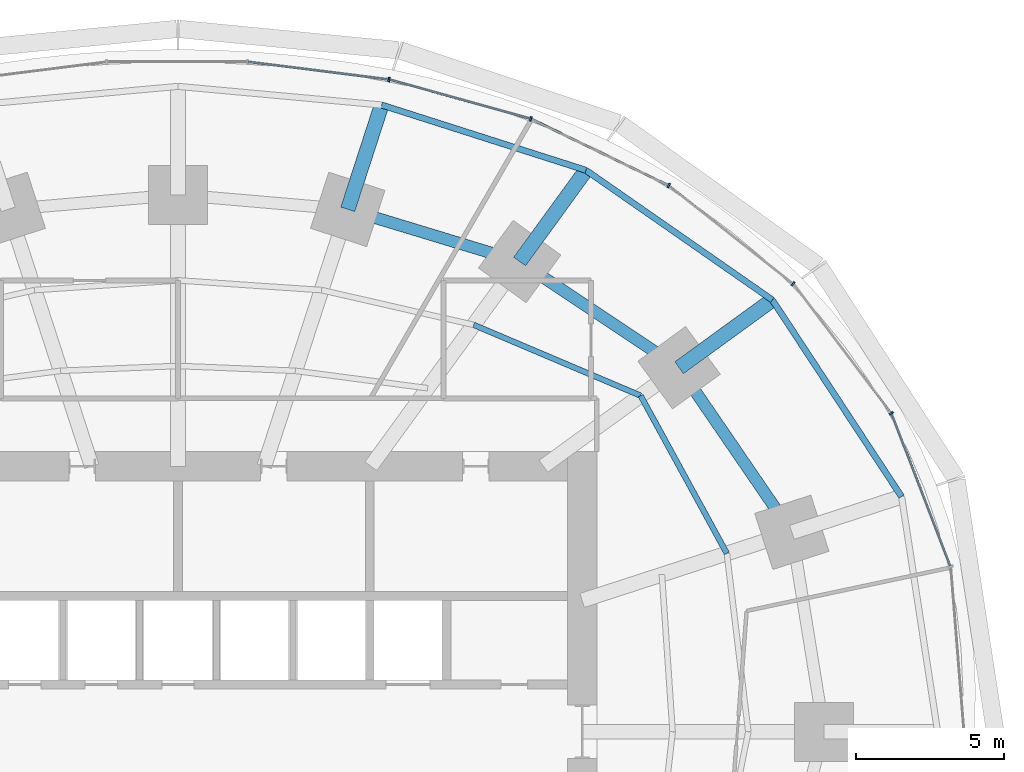
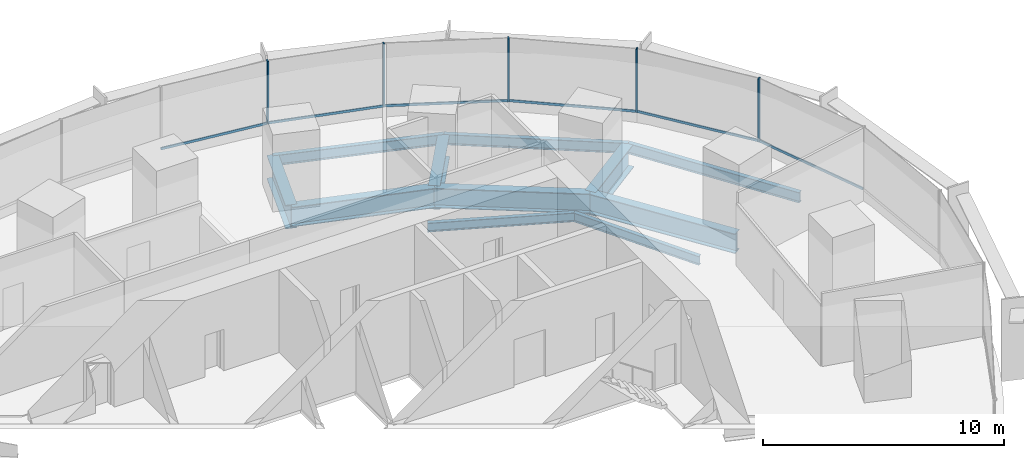
# One storey, part 9 of 15: 11 beams, 11 members, 2 elements without a shape of their own.
"""IFC4 building model written with IfcOpenShell, lengths in metres."""

import ifcopenshell
import ifcopenshell.guid

model = None  # the IFC model being written
_history = None  # IfcOwnerHistory: only IFC2X3 demands one
_inside = {}  # id of a spatial element -> (the spatial element, [elements in it])
_under = {}  # id of a project, library or spatial element -> (it, [spatial elements below it])
_declared = {}  # id of a project -> (the project, [libraries it declares])
_typed = {}  # id of a type object -> (the type object, [elements of that type])
_made_of = {}  # id of a material, layer set ... -> (it, [elements and type objects made of it])


def new_model(schema):
    """Start an empty IFC model of exactly this schema.

    Asked for "IFC4X3", IfcOpenShell would pick the latest addendum, in which some entities
    have other attributes; the version numbers below select the first issue.
    IFC2X3 requires an IfcOwnerHistory on every rooted entity: one is made here for all.
    """
    global model, _history
    if schema == "IFC4X3":
        model = ifcopenshell.file(schema_version=(4, 3, 0, 0))
    else:
        model = ifcopenshell.file(schema=schema)
    _inside.clear()
    _under.clear()
    _declared.clear()
    _typed.clear()
    _made_of.clear()
    _history = None
    if model.schema == "IFC2X3":
        org = make("IfcOrganization", Name="unknown")
        user = make(
            "IfcPersonAndOrganization",
            ThePerson=make("IfcPerson", FamilyName="unknown"),
            TheOrganization=org,
        )
        app = make(
            "IfcApplication",
            ApplicationDeveloper=org,
            Version="unknown",
            ApplicationFullName="unknown",
            ApplicationIdentifier="unknown",
        )
        _history = make(
            "IfcOwnerHistory",
            OwningUser=user,
            OwningApplication=app,
            ChangeAction="ADDED",
            CreationDate=0,
        )
    return model


def make(cls, **values):
    """One entity of the class cls with the attributes given. An attribute that is None is left unset."""
    return model.create_entity(
        cls, **{name: value for name, value in values.items() if value is not None}
    )


def rooted(cls, **values):
    """An entity with a GlobalId (a new one), such as an element, a storey or a relation."""
    return make(cls, GlobalId=ifcopenshell.guid.new(), OwnerHistory=_history, **values)


def si_unit(unit_type, name, prefix=None):
    """IfcSIUnit, for example si_unit("LENGTHUNIT", "METRE", prefix="MILLI")."""
    return make("IfcSIUnit", UnitType=unit_type, Prefix=prefix, Name=name)


def assignment(units):
    """IfcUnitAssignment: the units of a project."""
    return None if units is None else make("IfcUnitAssignment", Units=units)


def point(xyz):
    """IfcCartesianPoint."""
    return None if xyz is None else make("IfcCartesianPoint", Coordinates=xyz)


def direction(xyz):
    """IfcDirection."""
    return None if xyz is None else make("IfcDirection", DirectionRatios=xyz)


def frame(location, z_axis=None, x_axis=None):
    """IfcAxis2Placement3D, a coordinate frame: its origin and axes. An axis left out is left unset."""
    return make(
        "IfcAxis2Placement3D",
        Location=point(location),
        Axis=direction(z_axis),
        RefDirection=direction(x_axis),
    )


def frame_2d(location, x_axis=None):
    """IfcAxis2Placement2D, a coordinate frame in the plane: its origin and x axis."""
    return make(
        "IfcAxis2Placement2D", Location=point(location), RefDirection=direction(x_axis)
    )


def origin():
    """The frame at (0, 0, 0) with its axes left unset."""
    return frame((0.0, 0.0, 0.0))


def origin_2d():
    """The frame at (0, 0) in the plane with its x axis left unset."""
    return frame_2d((0.0, 0.0))


def place(relative_to, where):
    """IfcLocalPlacement: puts the frame where relative to a parent placement (None: the world)."""
    return make(
        "IfcLocalPlacement", PlacementRelTo=relative_to, RelativePlacement=where
    )


def context(
    kind, dimensions, precision=None, world=None, true_north=None, identifier=None
):
    """IfcGeometricRepresentationContext, for example the 3D "Model" context."""
    return make(
        "IfcGeometricRepresentationContext",
        ContextIdentifier=identifier,
        ContextType=kind,
        CoordinateSpaceDimension=dimensions,
        Precision=precision,
        WorldCoordinateSystem=world,
        TrueNorth=true_north,
    )


def subcontext(parent, identifier, kind, view, scale=None):
    """IfcGeometricRepresentationSubContext, for example "Body" below "Model"."""
    return make(
        "IfcGeometricRepresentationSubContext",
        ContextIdentifier=identifier,
        ContextType=kind,
        ParentContext=parent,
        TargetScale=scale,
        TargetView=view,
    )


def project(units=None, contexts=None):
    """IfcProject with its units and contexts."""
    return rooted(
        "IfcProject",
        Name="project",
        RepresentationContexts=contexts,
        UnitsInContext=assignment(units),
    )


def spatial(cls, under=None, at=None, **own):
    """A site, building, storey or space (cls), placed at a placement, below another one or the project."""
    s = rooted(cls, ObjectPlacement=at, **own)
    if under is not None:
        _under.setdefault(under.id(), (under, []))[1].append(s)
    return s


def profile(cls, at=None, kind="AREA", **sizes):
    """A parametric profile (cls). Its sizes go by their IFC names, for example OverallWidth=200.0."""
    return make(cls, ProfileType=kind, Position=at, **sizes)


def rectangle(**sizes):
    """IfcRectangleProfileDef."""
    return profile("IfcRectangleProfileDef", **sizes)


def i_section(**sizes):
    """IfcIShapeProfileDef."""
    return profile("IfcIShapeProfileDef", **sizes)


def extrude(swept, where, along, depth):
    """IfcExtrudedAreaSolid: the profile swept, set in the frame where, extruded along a direction by depth."""
    return make(
        "IfcExtrudedAreaSolid",
        SweptArea=swept,
        Position=where,
        ExtrudedDirection=direction(along),
        Depth=depth,
    )


def shape(context_of_items, identifier, shape_type, items):
    """IfcShapeRepresentation: the items that make up one representation, for example the "Body"."""
    return make(
        "IfcShapeRepresentation",
        ContextOfItems=context_of_items,
        RepresentationIdentifier=identifier,
        RepresentationType=shape_type,
        Items=items,
    )


def material(Name=None, Category=None):
    """IfcMaterial."""
    return make("IfcMaterial", Name=Name, Category=Category)


def material_profile(
    of_material, cross_section, Name=None, Category=None, Priority=None
):
    """IfcMaterialProfile: a cross section and its material."""
    return make(
        "IfcMaterialProfile",
        Name=Name,
        Material=of_material,
        Profile=cross_section,
        Priority=Priority,
        Category=Category,
    )


def profile_set(profiles, Name=None, composite=None):
    """IfcMaterialProfileSet."""
    return make(
        "IfcMaterialProfileSet",
        Name=Name,
        MaterialProfiles=profiles,
        CompositeProfile=composite,
    )


def made_of(thing, what):
    """Note that an element or type object is made of a material, layer set ...; save() writes the relation."""
    if what is not None:
        _made_of.setdefault(what.id(), (what, []))[1].append(thing)
    return thing


def type_object(cls, material=None, **own):
    """A type object (cls), such as IfcWallType, which elements share."""
    return made_of(rooted(cls, **own), material)


def element(
    cls,
    number,
    at=None,
    inside=None,
    cuts=None,
    type_object=None,
    material=None,
    context=None,
    identifier="Body",
    shape_type=None,
    held_by="IfcProductDefinitionShape",
    body=None,
    shapes=None,
    **own,
):
    """One element of the class cls, such as IfcWall. Its Tag is "e" and its number.

    at: its placement. inside: the storey or other place that contains it. cuts: it is an
    opening in that element (IfcRelVoidsElement). A single representation is given by context,
    identifier, shape_type and body (its items); several are given by shapes. held_by: the class
    of the entity that holds the representations. save() writes the other relations.
    """
    e = rooted(cls, Tag="e%d" % number, ObjectPlacement=at, **own)
    if body is not None:
        shapes = [shape(context, identifier, shape_type, body)]
    if shapes is not None:
        e.Representation = make(held_by, Representations=shapes)
    if inside is not None:
        _inside.setdefault(inside.id(), (inside, []))[1].append(e)
    if cuts is not None:
        rooted(
            "IfcRelVoidsElement", RelatingBuildingElement=cuts, RelatedOpeningElement=e
        )
    if type_object is not None:
        _typed.setdefault(type_object.id(), (type_object, []))[1].append(e)
    return made_of(e, material)


def aggregate(whole, parts):
    """IfcRelAggregates: a whole, such as a stair, and the parts it consists of."""
    return rooted("IfcRelAggregates", RelatingObject=whole, RelatedObjects=parts)


def save(model, path):
    """Write the relations noted so far, then the file.

    IfcRelAggregates (storeys below a building ...), IfcRelContainedInSpatialStructure (elements
    in a storey), IfcRelDefinesByType, IfcRelAssociatesMaterial and IfcRelDeclares: one each for
    every whole, place, type object, material and project.
    """
    for whole, parts in _under.values():
        aggregate(whole, parts)
    for where, things in _inside.values():
        rooted(
            "IfcRelContainedInSpatialStructure",
            RelatedElements=things,
            RelatingStructure=where,
        )
    for kind, things in _typed.values():
        rooted("IfcRelDefinesByType", RelatedObjects=things, RelatingType=kind)
    for what, things in _made_of.values():
        rooted("IfcRelAssociatesMaterial", RelatedObjects=things, RelatingMaterial=what)
    for by, libraries in _declared.values():
        rooted("IfcRelDeclares", RelatingContext=by, RelatedDefinitions=libraries)
    model.write(path)


model = new_model("IFC4")

# Units and contexts
model_context = context("Model", 3, precision=1e-05, world=origin(), true_north=direction((0.0, 1.0)))
body_context = subcontext(model_context, "Body", "Model", "MODEL_VIEW")
ifc_project = project(units=[si_unit("LENGTHUNIT", "METRE"), si_unit("AREAUNIT", "SQUARE_METRE"), si_unit("VOLUMEUNIT", "CUBIC_METRE"), si_unit("PLANEANGLEUNIT", "RADIAN"), si_unit("MASSUNIT", "GRAM", prefix="KILO")], contexts=[model_context])

# Site, building, storey
site_placement = place(None, origin())
site = spatial("IfcSite", under=ifc_project, at=site_placement, CompositionType="ELEMENT")
building_placement = place(site_placement, origin())
building = spatial("IfcBuilding", under=site, at=building_placement, Name="Marramba Exchange Tower", CompositionType="ELEMENT")
storey_placement = place(building_placement, frame((0.0, 0.0, 82.60009765625)))
storey = spatial("IfcBuildingStorey", under=building, at=storey_placement, Name="L19", CompositionType="ELEMENT", Elevation=82.60009765625)

# Beams
ifc_material_1 = material(Name="Steel AS/NZS 3679.2 grade 300", Category="steel")
ifc_material_profile_1 = material_profile(ifc_material_1, i_section(OverallWidth=0.5, OverallDepth=1.199951171875, WebThickness=0.01611328125, FlangeThickness=0.0400390625, at=origin_2d()), Name="1200WB455")
ifc_profile_set_1 = profile_set([ifc_material_profile_1], Name="Steel AS/NZS 3679.2 grade 300")
beam_type_1 = type_object("IfcBeamType", Name="Cantilever girder 1200WB455", PredefinedType="BEAM", material=ifc_profile_set_1)
beam_1_placement = place(storey_placement, frame((16.98583984375, 12.3408203125, -0.760009765625), z_axis=(0.808987260856, 0.587826174793, 0.0), x_axis=(-0.587826174793, 0.808987260856, 0.0)))
element("IfcBeam", 1, at=beam_1_placement, inside=storey, type_object=beam_type_1, Name="Cantilever girder L19 TC03", PredefinedType="BEAM", context=body_context, shape_type="SweptSolid", body=[
    extrude(i_section(OverallWidth=0.5, OverallDepth=1.199951171875, WebThickness=0.01611328125, FlangeThickness=0.0400390625, at=origin_2d()), origin(), (0.0, 0.0, 1.0), 3.90771484375),
])
beam_2_placement = place(storey_placement, frame((11.581298828125, 15.9404296875, -0.760009765625), z_axis=(0.587795827483, 0.809009310944, 0.0), x_axis=(-0.809009310944, 0.587795827483, 0.0)))
element("IfcBeam", 2, at=beam_2_placement, inside=storey, type_object=beam_type_1, Name="Cantilever girder L19 TC04", PredefinedType="BEAM", context=body_context, shape_type="SweptSolid", body=[
    extrude(i_section(OverallWidth=0.5, OverallDepth=1.199951171875, WebThickness=0.01611328125, FlangeThickness=0.0400390625, at=origin_2d()), origin(), (0.0, 0.0, 1.0), 3.82421875),
])
beam_3_placement = place(storey_placement, frame((5.75390625, 17.70849609375, -0.760009765625), z_axis=(0.308973290646, 0.951070715387, 0.0), x_axis=(-0.951070715387, 0.308973290646, 0.0)))
element("IfcBeam", 3, at=beam_3_placement, inside=storey, type_object=beam_type_1, Name="Cantilever girder L19 TC05", PredefinedType="BEAM", context=body_context, shape_type="SweptSolid", body=[
    extrude(i_section(OverallWidth=0.5, OverallDepth=1.199951171875, WebThickness=0.01611328125, FlangeThickness=0.0400390625, at=origin_2d()), origin(), (0.0, 0.0, 1.0), 3.72021484375),
])
ifc_material_2 = material(Name="Steel AS/NZS 3679.1 grade 300", Category="steel")
ifc_material_profile_2 = material_profile(ifc_material_2, i_section(OverallWidth=0.18994140625, OverallDepth=0.4541015625, WebThickness=0.008544921875, FlangeThickness=0.0126953125, FilletRadius=0.011474609375, at=origin_2d()), Name="460UB67.1")
ifc_profile_set_2 = profile_set([ifc_material_profile_2], Name="Steel AS/NZS 3679.1 grade 300")
beam_type_2 = type_object("IfcBeamType", Name="Floor joist 460UB67.1", PredefinedType="JOIST", material=ifc_profile_set_2)
beam_4_placement = place(storey_placement, frame((18.60546875, 6.04541015625, -0.38720703125), z_axis=(-0.479584443791, 0.877495732909, 0.0), x_axis=(-0.877495732909, -0.479584443791, 0.0)))
element("IfcBeam", 4, at=beam_4_placement, inside=storey, type_object=beam_type_2, Name="Joist L19 bay 02 row 2", PredefinedType="JOIST", context=body_context, shape_type="SweptSolid", body=[
    extrude(i_section(OverallWidth=0.18994140625, OverallDepth=0.4541015625, WebThickness=0.008544921875, FlangeThickness=0.0126953125, FilletRadius=0.011474609375, at=origin_2d()), origin(), (0.0, 0.0, 1.0), 6.094970703125),
])
beam_5_placement = place(storey_placement, frame((15.682373046875, 11.393798828125, -0.38720703125), z_axis=(-0.920674336375, 0.390331610738, 0.0), x_axis=(-0.390331610738, -0.920674336375, 0.0)))
element("IfcBeam", 5, at=beam_5_placement, inside=storey, type_object=beam_type_2, Name="Joist L19 bay 03 row 2", PredefinedType="JOIST", context=body_context, shape_type="SweptSolid", body=[
    extrude(i_section(OverallWidth=0.18994140625, OverallDepth=0.4541015625, WebThickness=0.008544921875, FlangeThickness=0.0126953125, FilletRadius=0.011474609375, at=origin_2d()), origin(), (0.0, 0.0, 1.0), 6.1484375),
])
ifc_material_profile_3 = material_profile(ifc_material_1, i_section(OverallWidth=0.39990234375, OverallDepth=1.0, WebThickness=0.01611328125, FlangeThickness=0.031982421875, at=origin_2d()), Name="1000WB322")
ifc_profile_set_3 = profile_set([ifc_material_profile_3], Name="Steel AS/NZS 3679.2 grade 300")
beam_type_3 = type_object("IfcBeamType", Name="Ring beam 1000WB322", PredefinedType="SPANDREL", material=ifc_profile_set_3)
beam_6_placement = place(storey_placement, frame((20.808349609375, 6.760986328125, -0.66015625), z_axis=(-0.56516002054, 0.824981303535, 0.0), x_axis=(-0.824981303535, -0.56516002054, 0.0)))
element("IfcBeam", 6, at=beam_6_placement, inside=storey, type_object=beam_type_3, Name="Ring beam L19 TC02-TC03", PredefinedType="SPANDREL", context=body_context, shape_type="SweptSolid", body=[
    extrude(i_section(OverallWidth=0.39990234375, OverallDepth=1.0, WebThickness=0.01611328125, FlangeThickness=0.031982421875, at=origin_2d()), origin(), (0.0, 0.0, 1.0), 6.763671875),
])
beam_7_placement = place(storey_placement, frame((16.98583984375, 12.3408203125, -0.66015625), z_axis=(-0.832293151443, 0.554335737673, 0.0), x_axis=(-0.554335737673, -0.832293151443, 0.0)))
element("IfcBeam", 7, at=beam_7_placement, inside=storey, type_object=beam_type_3, Name="Ring beam L19 TC03-TC04", PredefinedType="SPANDREL", context=body_context, shape_type="SweptSolid", body=[
    extrude(i_section(OverallWidth=0.39990234375, OverallDepth=1.0, WebThickness=0.01611328125, FlangeThickness=0.031982421875, at=origin_2d()), origin(), (0.0, 0.0, 1.0), 6.49365234375),
])
beam_8_placement = place(storey_placement, frame((11.581298828125, 15.9404296875, -0.66015625), z_axis=(-0.956924542524, 0.290336735387, 0.0), x_axis=(-0.290336735387, -0.956924542524, 0.0)))
element("IfcBeam", 8, at=beam_8_placement, inside=storey, type_object=beam_type_3, Name="Ring beam L19 TC04-TC05", PredefinedType="SPANDREL", context=body_context, shape_type="SweptSolid", body=[
    extrude(i_section(OverallWidth=0.39990234375, OverallDepth=1.0, WebThickness=0.01611328125, FlangeThickness=0.031982421875, at=origin_2d()), origin(), (0.0, 0.0, 1.0), 6.089599609375),
])
ifc_material_profile_4 = material_profile(ifc_material_2, i_section(OverallWidth=0.208984375, OverallDepth=0.528076171875, WebThickness=0.009521484375, FlangeThickness=0.01318359375, FilletRadius=0.013916015625, at=origin_2d()), Name="530UB82.0")
ifc_profile_set_4 = profile_set([ifc_material_profile_4], Name="Steel AS/NZS 3679.1 grade 300")
beam_type_4 = type_object("IfcBeamType", Name="Slab edge beam 530UB82.0", PredefinedType="SPANDREL", material=ifc_profile_set_4)
beam_9_placement = place(storey_placement, frame((24.528564453125, 7.9697265625, -0.424072265625), z_axis=(-0.549123544095, 0.835741188001, 0.0), x_axis=(-0.835741188001, -0.549123544095, 0.0)))
element("IfcBeam", 9, at=beam_9_placement, inside=storey, type_object=beam_type_4, Name="Slab edge beam L19 TC02-TC03", PredefinedType="SPANDREL", context=body_context, shape_type="SweptSolid", body=[
    extrude(i_section(OverallWidth=0.208984375, OverallDepth=0.528076171875, WebThickness=0.009521484375, FlangeThickness=0.01318359375, FilletRadius=0.013916015625, at=origin_2d()), origin(), (0.0, 0.0, 1.0), 7.978759765625),
])
beam_10_placement = place(storey_placement, frame((20.147216796875, 14.637939453125, -0.424072265625), z_axis=(-0.820842487183, 0.571154629882, 0.0), x_axis=(-0.571154629882, -0.820842487183, 0.0)))
element("IfcBeam", 10, at=beam_10_placement, inside=storey, type_object=beam_type_4, Name="Slab edge beam L19 TC03-TC04", PredefinedType="SPANDREL", context=body_context, shape_type="SweptSolid", body=[
    extrude(i_section(OverallWidth=0.208984375, OverallDepth=0.528076171875, WebThickness=0.009521484375, FlangeThickness=0.01318359375, FilletRadius=0.013916015625, at=origin_2d()), origin(), (0.0, 0.0, 1.0), 7.697021484375),
])
beam_11_placement = place(storey_placement, frame((13.8291015625, 19.0341796875, -0.424072265625), z_axis=(-0.952577642997, 0.304295635957, 0.0), x_axis=(-0.304295635957, -0.952577642997, 0.0)))
element("IfcBeam", 11, at=beam_11_placement, inside=storey, type_object=beam_type_4, Name="Slab edge beam L19 TC04-TC05", PredefinedType="SPANDREL", context=body_context, shape_type="SweptSolid", body=[
    extrude(i_section(OverallWidth=0.208984375, OverallDepth=0.528076171875, WebThickness=0.009521484375, FlangeThickness=0.01318359375, FilletRadius=0.013916015625, at=origin_2d()), origin(), (0.0, 0.0, 1.0), 7.2705078125),
])

# Curtain wall, members
ifc_material_3 = material(Name="Aluminium framing, bronze anodised", Category="aluminium")
curtain_wall_type = type_object("IfcCurtainWallType", Name="Trading floor ribbon curtain wall", PredefinedType="USERDEFINED", material=ifc_material_3)
curtain_wall_1_placement = place(storey_placement, origin())
curtain_wall_1 = element("IfcCurtainWall", 12, at=curtain_wall_1_placement, inside=storey, type_object=curtain_wall_type, Name="Curtain wall CW3 L19 F01-F05", ObjectType="RIBBON CURTAIN WALL", PredefinedType="USERDEFINED")
ifc_material_4 = material(Name="Aluminium mullion, bronze anodised", Category="aluminium")
ifc_material_profile_5 = material_profile(ifc_material_4, rectangle(XDim=0.159912109375, YDim=0.06005859375, at=origin_2d()), Name="CW3 mullion 60x160")
ifc_profile_set_5 = profile_set([ifc_material_profile_5], Name="Aluminium mullion, bronze anodised")
member_type_1 = type_object("IfcMemberType", Name="Trading floor ribbon curtain wall mullion", PredefinedType="MULLION", material=ifc_profile_set_5)
member_1_placement = place(storey_placement, frame((24.178466796875, 10.796875, 0.7998046875), z_axis=(0.0, 0.0, 1.0), x_axis=(-0.797748922445, -0.602989765036, 0.0)))
member_1 = element("IfcMember", 13, at=member_1_placement, type_object=member_type_1, Name="CW3 mullion 1", PredefinedType="MULLION", context=body_context, shape_type="SweptSolid", body=[
    extrude(rectangle(XDim=0.159912109375, YDim=0.06005859375, at=origin_2d()), origin(), (0.0, 0.0, 1.0), 3.2001953125),
])
member_2_placement = place(storey_placement, frame((20.851806640625, 15.185546875, 0.7998046875), z_axis=(0.0, 0.0, 1.0), x_axis=(-0.620649730166, -0.784087949432, 0.0)))
member_2 = element("IfcMember", 14, at=member_2_placement, type_object=member_type_1, Name="CW3 mullion 1", PredefinedType="MULLION", context=body_context, shape_type="SweptSolid", body=[
    extrude(rectangle(XDim=0.159912109375, YDim=0.06005859375, at=origin_2d()), origin(), (0.0, 0.0, 1.0), 3.2001953125),
])
member_3_placement = place(storey_placement, frame((16.63330078125, 18.516357421875, 0.7998046875), z_axis=(0.0, 0.0, 1.0), x_axis=(-0.43596538664, -0.899963433508, 0.0)))
member_3 = element("IfcMember", 15, at=member_3_placement, type_object=member_type_1, Name="CW3 mullion 1", PredefinedType="MULLION", context=body_context, shape_type="SweptSolid", body=[
    extrude(rectangle(XDim=0.159912109375, YDim=0.06005859375, at=origin_2d()), origin(), (0.0, 0.0, 1.0), 3.2001953125),
])

curtain_wall_2_placement = place(storey_placement, origin())
curtain_wall_2 = element("IfcCurtainWall", 16, at=curtain_wall_2_placement, inside=storey, type_object=curtain_wall_type, Name="Curtain wall CW3 L19 F06-F10", ObjectType="RIBBON CURTAIN WALL", PredefinedType="USERDEFINED")
member_4_placement = place(storey_placement, frame((11.96044921875, 20.774169921875, 0.7998046875), z_axis=(0.0, 0.0, 1.0), x_axis=(-0.267808735815, -0.963472096649, 0.0)))
member_4 = element("IfcMember", 17, at=member_4_placement, type_object=member_type_1, Name="CW3 mullion 1", PredefinedType="MULLION", context=body_context, shape_type="SweptSolid", body=[
    extrude(rectangle(XDim=0.159912109375, YDim=0.06005859375, at=origin_2d()), origin(), (0.0, 0.0, 1.0), 3.2001953125),
])
member_5_placement = place(storey_placement, frame((7.15185546875, 22.106201171875, 0.7998046875), z_axis=(0.0, 0.0, 1.0), x_axis=(-0.124872723099, -0.992172768738, 0.0)))
member_5 = element("IfcMember", 18, at=member_5_placement, type_object=member_type_1, Name="CW3 mullion 1", PredefinedType="MULLION", context=body_context, shape_type="SweptSolid", body=[
    extrude(rectangle(XDim=0.159912109375, YDim=0.06005859375, at=origin_2d()), origin(), (0.0, 0.0, 1.0), 3.2001953125),
])

# Member
ifc_material_5 = material(Name="Aluminium transom, bronze anodised", Category="aluminium")
ifc_material_profile_6 = material_profile(ifc_material_5, rectangle(XDim=0.06005859375, YDim=0.1201171875, at=origin_2d()), Name="CW3 transom 60x120")
ifc_profile_set_6 = profile_set([ifc_material_profile_6], Name="Aluminium transom, bronze anodised")
member_type_2 = type_object("IfcMemberType", Name="Trading floor ribbon curtain wall transom", PredefinedType="USERDEFINED", material=ifc_profile_set_6)
member_6_placement = place(storey_placement, frame((26.179931640625, 5.625244140625, 0.829833984375), z_axis=(-0.359533581349, 0.933132147063, 0.0), x_axis=(-0.933132147063, -0.359533581349, 0.0)))
member_6 = element("IfcMember", 19, at=member_6_placement, type_object=member_type_2, Name="CW3 sill transom", ObjectType="TRANSOM", PredefinedType="USERDEFINED", context=body_context, shape_type="SweptSolid", body=[
    extrude(rectangle(XDim=0.06005859375, YDim=0.1201171875, at=origin_2d()), origin(), (0.0, 0.0, 1.0), 5.5166015625),
])

member_7_placement = place(storey_placement, frame((24.160400390625, 10.82080078125, 0.829833984375), z_axis=(-0.602985866158, 0.797751869452, 0.0), x_axis=(-0.797751869452, -0.602985866158, 0.0)))
member_7 = element("IfcMember", 20, at=member_7_placement, type_object=member_type_2, Name="CW3 sill transom", ObjectType="TRANSOM", PredefinedType="USERDEFINED", context=body_context, shape_type="SweptSolid", body=[
    extrude(rectangle(XDim=0.06005859375, YDim=0.1201171875, at=origin_2d()), origin(), (0.0, 0.0, 1.0), 5.44775390625),
])

member_8_placement = place(storey_placement, frame((20.828369140625, 15.2041015625, 0.829833984375), z_axis=(-0.784097975735, 0.620637063385, 0.0), x_axis=(-0.620637063385, -0.784097975735, 0.0)))
member_8 = element("IfcMember", 21, at=member_8_placement, type_object=member_type_2, Name="CW3 sill transom", ObjectType="TRANSOM", PredefinedType="USERDEFINED", context=body_context, shape_type="SweptSolid", body=[
    extrude(rectangle(XDim=0.06005859375, YDim=0.1201171875, at=origin_2d()), origin(), (0.0, 0.0, 1.0), 5.315673828125),
])

member_9_placement = place(storey_placement, frame((16.6064453125, 18.529296875, 0.829833984375), z_axis=(-0.89995331781, 0.43598626786, 0.0), x_axis=(-0.43598626786, -0.89995331781, 0.0)))
member_9 = element("IfcMember", 22, at=member_9_placement, type_object=member_type_2, Name="CW3 sill transom", ObjectType="TRANSOM", PredefinedType="USERDEFINED", context=body_context, shape_type="SweptSolid", body=[
    extrude(rectangle(XDim=0.06005859375, YDim=0.1201171875, at=origin_2d()), origin(), (0.0, 0.0, 1.0), 5.13037109375),
])

aggregate(curtain_wall_1, [member_6, member_1, member_7, member_2, member_8, member_3, member_9])

member_10_placement = place(storey_placement, frame((11.931396484375, 20.7822265625, 0.829833984375), z_axis=(-0.963468938163, 0.267820098565, 0.0), x_axis=(-0.267820098565, -0.963468938163, 0.0)))
member_10 = element("IfcMember", 23, at=member_10_placement, type_object=member_type_2, Name="CW3 sill transom", ObjectType="TRANSOM", PredefinedType="USERDEFINED", context=body_context, shape_type="SweptSolid", body=[
    extrude(rectangle(XDim=0.06005859375, YDim=0.1201171875, at=origin_2d()), origin(), (0.0, 0.0, 1.0), 4.929931640625),
])

member_11_placement = place(storey_placement, frame((7.1220703125, 22.10986328125, 0.829833984375), z_axis=(-0.99216810728, 0.124909755012, 0.0), x_axis=(-0.124909755012, -0.99216810728, 0.0)))
member_11 = element("IfcMember", 24, at=member_11_placement, type_object=member_type_2, Name="CW3 sill transom", ObjectType="TRANSOM", PredefinedType="USERDEFINED", context=body_context, shape_type="SweptSolid", body=[
    extrude(rectangle(XDim=0.06005859375, YDim=0.1201171875, at=origin_2d()), origin(), (0.0, 0.0, 1.0), 4.77294921875),
])

aggregate(curtain_wall_2, [member_4, member_10, member_5, member_11])

save(model, "model.ifc")
